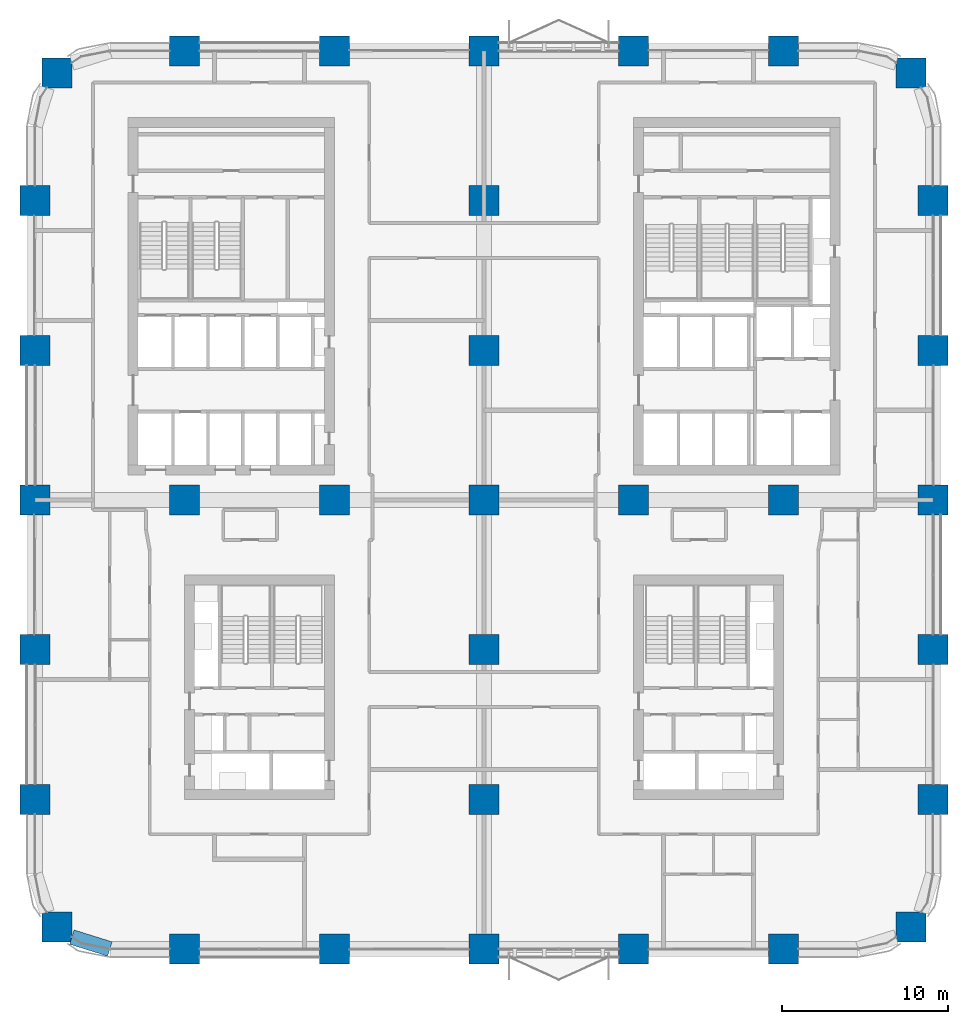
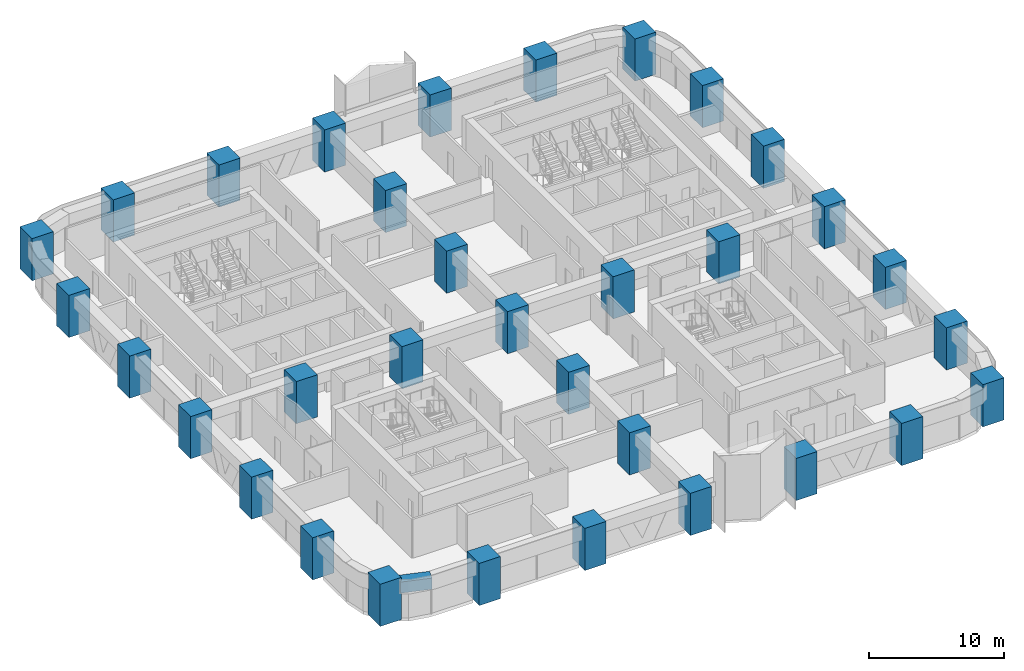
# One storey, part 1 of 22: 33 columns, 1 beam.
"""IFC4 building model written with IfcOpenShell, lengths in metres."""

from ifc_helpers import new_model, si_unit, direction, frame, origin, origin_2d, place, context, subcontext, project, spatial, rectangle, extrude, material, material_profile, profile_set, type_object, element, save


model = new_model("IFC4")

# Units and contexts
model_context = context("Model", 3, precision=1e-05, world=origin(), true_north=direction((0.0, 1.0)))
body_context = subcontext(model_context, "Body", "Model", "MODEL_VIEW")
ifc_project = project(units=[si_unit("LENGTHUNIT", "METRE"), si_unit("AREAUNIT", "SQUARE_METRE"), si_unit("VOLUMEUNIT", "CUBIC_METRE"), si_unit("PLANEANGLEUNIT", "RADIAN"), si_unit("MASSUNIT", "GRAM", prefix="KILO")], contexts=[model_context])

# Site, building, storey
site_placement = place(None, origin())
site = spatial("IfcSite", under=ifc_project, at=site_placement, CompositionType="ELEMENT")
building_placement = place(site_placement, origin())
building = spatial("IfcBuilding", under=site, at=building_placement, Name="Tessera Arch", CompositionType="ELEMENT")
storey_placement = place(building_placement, frame((0.0, 0.0, 53.800048828125)))
storey = spatial("IfcBuildingStorey", under=building, at=storey_placement, Name="L11", CompositionType="ELEMENT", Elevation=53.800048828125)

# Columns
ifc_material_1 = material(Name="Concrete C80/95", Category="concrete")
ifc_material_profile_1 = material_profile(ifc_material_1, rectangle(XDim=1.800048828125, YDim=1.800048828125, at=origin_2d()), Name="RC column 1800 x 1800 Concrete C80/95")
ifc_profile_set_1 = profile_set([ifc_material_profile_1], Name="Concrete C80/95")
column_type = type_object("IfcColumnType", Name="RC column 1800 x 1800 Concrete C80/95", PredefinedType="COLUMN", material=ifc_profile_set_1)
for number, where, z_axis, x_axis, name in (
    (1, (1.318115234375, 1.318115234375, 0.0), (0.0, 0.0, 1.0), (1.0, 0.0, 0.0), "Column C1A L11"),
    (2, (0.0, 9.0, 0.0), (0.0, 0.0, 1.0), (1.0, 0.0, 0.0), "Column C1B L11"),
    (3, (0.0, 18.0, 0.0), (0.0, 0.0, 1.0), (1.0, 0.0, 0.0), "Column C1C L11"),
    (4, (0.0, 27.0, 0.0), (0.0, 0.0, 1.0), (1.0, 0.0, 0.0), "Column C1D L11"),
    (5, (0.0, 36.0, 0.0), (0.0, 0.0, 1.0), (1.0, 0.0, 0.0), "Column C1E L11"),
    (6, (0.0, 45.0, 0.0), (0.0, 0.0, 1.0), (1.0, 0.0, 0.0), "Column C1F L11"),
    (7, (1.318115234375, 52.681884765625, 0.0), (0.0, 0.0, 1.0), (1.0, 0.0, 0.0), "Column C1G L11"),
    (8, (9.0, 0.0, 0.0), (0.0, 0.0, 1.0), (1.0, 0.0, 0.0), "Column C2A L11"),
    (9, (9.0, 27.0, 0.0), (0.0, 0.0, 1.0), (1.0, 0.0, 0.0), "Column C2D L11"),
    (10, (9.0, 54.0, 0.0), (0.0, 0.0, 1.0), (1.0, 0.0, 0.0), "Column C2G L11"),
    (11, (18.0, 0.0, 0.0), (0.0, 0.0, 1.0), (1.0, 0.0, 0.0), "Column C3A L11"),
    (12, (18.0, 27.0, 0.0), (0.0, 0.0, 1.0), (1.0, 0.0, 0.0), "Column C3D L11"),
    (13, (18.0, 54.0, 0.0), (0.0, 0.0, 1.0), (1.0, 0.0, 0.0), "Column C3G L11"),
    (14, (27.0, 0.0, 0.0), (0.0, 0.0, 1.0), (1.0, 0.0, 0.0), "Column C4A L11"),
    (15, (27.0, 9.0, 0.0), (0.0, 0.0, 1.0), (1.0, 0.0, 0.0), "Column C4B L11"),
    (16, (27.0, 18.0, 0.0), (0.0, 0.0, 1.0), (1.0, 0.0, 0.0), "Column C4C L11"),
    (17, (27.0, 27.0, 0.0), (0.0, 0.0, 1.0), (1.0, 0.0, 0.0), "Column C4D L11"),
    (18, (27.0, 36.0, 0.0), (0.0, 0.0, 1.0), (1.0, 0.0, 0.0), "Column C4E L11"),
    (19, (27.0, 45.0, 0.0), (0.0, 0.0, 1.0), (1.0, 0.0, 0.0), "Column C4F L11"),
    (20, (27.0, 54.0, 0.0), (0.0, 0.0, 1.0), (1.0, 0.0, 0.0), "Column C4G L11"),
    (21, (36.0, 0.0, 0.0), (0.0, 0.0, 1.0), (1.0, 0.0, 0.0), "Column C5A L11"),
    (22, (36.0, 27.0, 0.0), (0.0, 0.0, 1.0), (1.0, 0.0, 0.0), "Column C5D L11"),
    (23, (36.0, 54.0, 0.0), (0.0, 0.0, 1.0), (1.0, 0.0, 0.0), "Column C5G L11"),
    (24, (45.0, 0.0, 0.0), (0.0, 0.0, 1.0), (1.0, 0.0, 0.0), "Column C6A L11"),
    (25, (45.0, 27.0, 0.0), (0.0, 0.0, 1.0), (1.0, 0.0, 0.0), "Column C6D L11"),
    (26, (45.0, 54.0, 0.0), (0.0, 0.0, 1.0), (1.0, 0.0, 0.0), "Column C6G L11"),
    (27, (52.681884765625, 1.318115234375, 0.0), (0.0, 0.0, 1.0), (1.0, 0.0, 0.0), "Column C7A L11"),
    (28, (54.0, 9.0, 0.0), (0.0, 0.0, 1.0), (1.0, 0.0, 0.0), "Column C7B L11"),
    (29, (54.0, 18.0, 0.0), (0.0, 0.0, 1.0), (1.0, 0.0, 0.0), "Column C7C L11"),
    (30, (54.0, 27.0, 0.0), (0.0, 0.0, 1.0), (1.0, 0.0, 0.0), "Column C7D L11"),
    (31, (54.0, 36.0, 0.0), (0.0, 0.0, 1.0), (1.0, 0.0, 0.0), "Column C7E L11"),
    (32, (54.0, 45.0, 0.0), (0.0, 0.0, 1.0), (1.0, 0.0, 0.0), "Column C7F L11"),
    (33, (52.681884765625, 52.681884765625, 0.0), (0.0, 0.0, 1.0), (1.0, 0.0, 0.0), "Column C7G L11"),
):
    element("IfcColumn", number, at=place(storey_placement, frame(where, z_axis=z_axis, x_axis=x_axis)), inside=storey, type_object=column_type, Name=name, PredefinedType="COLUMN", context=body_context, shape_type="SweptSolid", body=[
        extrude(rectangle(XDim=1.800048828125, YDim=1.800048828125, at=origin_2d()), origin(), (0.0, 0.0, 1.0), 3.800048828125),
    ])

# Beam
ifc_material_2 = material(Name="Concrete C80/95", Category="concrete")
ifc_material_profile_2 = material_profile(ifc_material_2, rectangle(XDim=0.89990234375, YDim=1.0, at=origin_2d()), Name="RC spandrel beam 900 x 1000 Concrete C80/95")
ifc_profile_set_2 = profile_set([ifc_material_profile_2], Name="Concrete C80/95")
beam_type = type_object("IfcBeamType", Name="RC spandrel beam 900 x 1000 Concrete C80/95", PredefinedType="BEAM", material=ifc_profile_set_2)
beam_placement = place(storey_placement, frame((2.218017578125, 0.716796875, 3.0), z_axis=(0.954041251279, -0.299675309057, 0.0), x_axis=(0.299675309057, 0.954041251279, 0.0)))
element("IfcBeam", 34, at=beam_placement, inside=storey, type_object=beam_type, Name="Spandrel beam L11 S0.0/5.1", PredefinedType="BEAM", context=body_context, shape_type="SweptSolid", body=[
    extrude(rectangle(XDim=0.89990234375, YDim=1.0, at=origin_2d()), origin(), (0.0, 0.0, 1.0), 2.391845703125),
])

save(model, "model.ifc")
